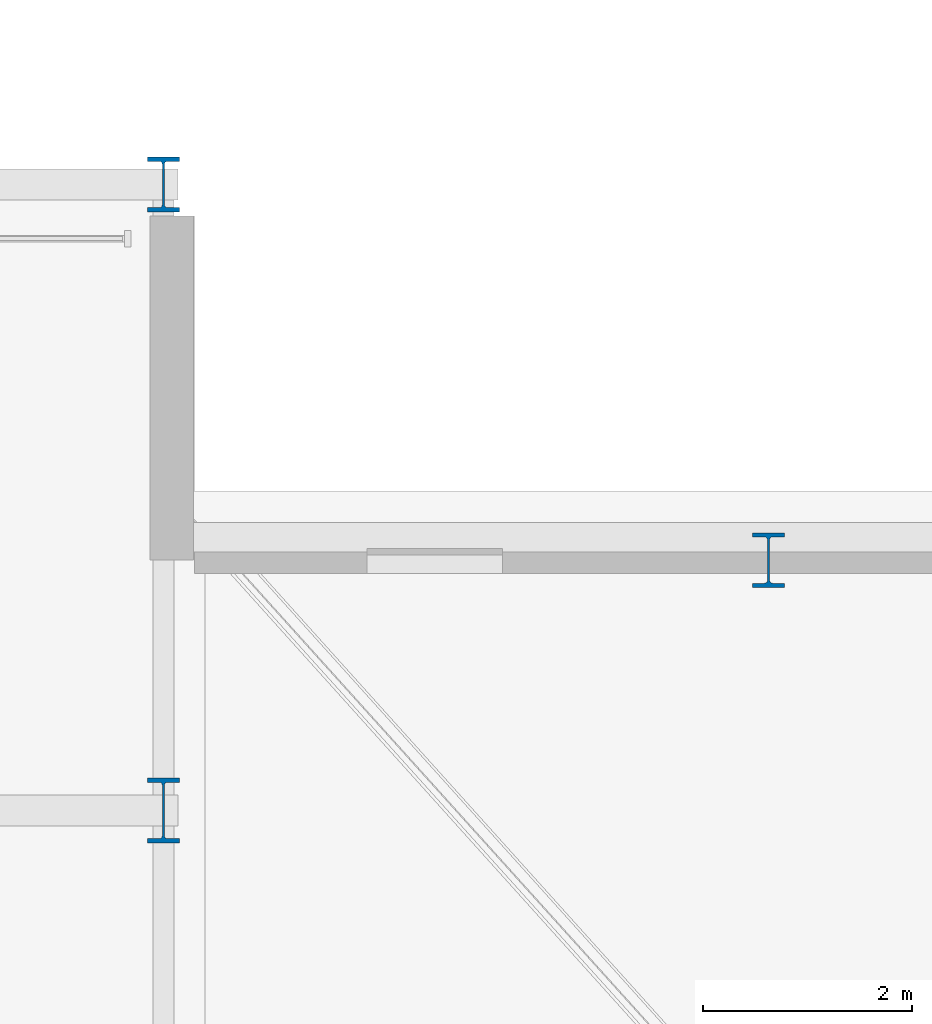
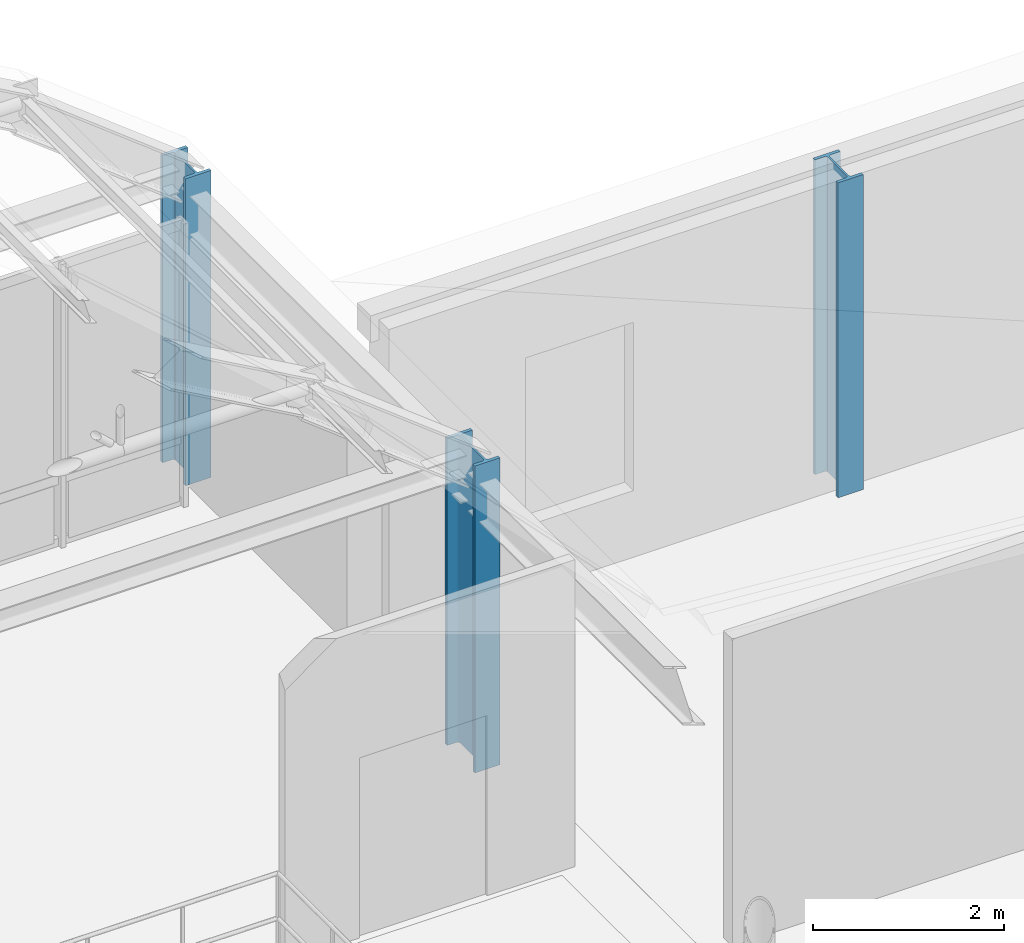
# One storey, part 7 of 148: 3 columns.
"""IFC4 building model written with IfcOpenShell, lengths in metres."""

from ifc_helpers import new_model, si_unit, direction, frame, origin, origin_2d, place, context, subcontext, project, spatial, i_section, extrude, material, material_profile, profile_set, type_object, element, save


model = new_model("IFC4")

# Units and contexts
model_context = context("Model", 3, precision=1e-05, world=origin(), true_north=direction((0.0, 1.0)))
body_context = subcontext(model_context, "Body", "Model", "MODEL_VIEW")
ifc_project = project(units=[si_unit("LENGTHUNIT", "METRE"), si_unit("AREAUNIT", "SQUARE_METRE"), si_unit("VOLUMEUNIT", "CUBIC_METRE"), si_unit("PLANEANGLEUNIT", "RADIAN"), si_unit("MASSUNIT", "GRAM", prefix="KILO"), si_unit("THERMODYNAMICTEMPERATUREUNIT", "KELVIN"), si_unit("POWERUNIT", "WATT")], contexts=[model_context])

# Site, building, storey
site_placement = place(None, origin())
site = spatial("IfcSite", under=ifc_project, at=site_placement, CompositionType="ELEMENT")
building_placement = place(site_placement, origin())
building = spatial("IfcBuilding", under=site, at=building_placement, Name="Solvatero Civic Police Headquarters", CompositionType="ELEMENT")
storey_placement = place(building_placement, frame((0.0, 0.0, 5.10009765625)))
storey = spatial("IfcBuildingStorey", under=building, at=storey_placement, Name="L01", CompositionType="ELEMENT", Elevation=5.10009765625)

# Columns
ifc_material = material(Name="Steel S355", Category="steel")
ifc_material_profile_1 = material_profile(ifc_material, i_section(OverallWidth=0.305908203125, OverallDepth=0.52392578125, WebThickness=0.02099609375, FlangeThickness=0.0400390625, FilletRadius=0.027099609375, at=origin_2d()), Name="HEM 500")
ifc_profile_set_1 = profile_set([ifc_material_profile_1], Name="Steel S355")
column_type_1 = type_object("IfcColumnType", Name="COL-ST-HEM500", PredefinedType="COLUMN", material=ifc_profile_set_1)
column_1_placement = place(storey_placement, frame((122.199951171875, 46.800048828125, 0.0), z_axis=(0.0, 0.0, 1.0), x_axis=(1.0, 0.0, 0.0)))
element("IfcColumn", 1, at=column_1_placement, inside=storey, type_object=column_type_1, Name="Column V1-E-F8 L01", PredefinedType="COLUMN", context=body_context, shape_type="SweptSolid", body=[
    extrude(i_section(OverallWidth=0.305908203125, OverallDepth=0.52392578125, WebThickness=0.02099609375, FlangeThickness=0.0400390625, FilletRadius=0.027099609375, at=origin_2d()), origin(), (0.0, 0.0, 1.0), 3.919921875),
])
column_2_placement = place(storey_placement, frame((128.0, 43.199951171875, 0.0), z_axis=(0.0, 0.0, 1.0), x_axis=(1.0, 0.0, 0.0)))
element("IfcColumn", 2, at=column_2_placement, inside=storey, type_object=column_type_1, Name="Column V3-X1Y4 L01", PredefinedType="COLUMN", context=body_context, shape_type="SweptSolid", body=[
    extrude(i_section(OverallWidth=0.305908203125, OverallDepth=0.52392578125, WebThickness=0.02099609375, FlangeThickness=0.0400390625, FilletRadius=0.027099609375, at=origin_2d()), origin(), (0.0, 0.0, 1.0), 4.02001953125),
])
ifc_material_profile_2 = material_profile(ifc_material, i_section(OverallWidth=0.304931640625, OverallDepth=0.6201171875, WebThickness=0.02099609375, FlangeThickness=0.0400390625, FilletRadius=0.027099609375, at=origin_2d()), Name="HEM 600")
ifc_profile_set_2 = profile_set([ifc_material_profile_2], Name="Steel S355")
column_type_2 = type_object("IfcColumnType", Name="COL-ST-HEM600", PredefinedType="COLUMN", material=ifc_profile_set_2)
column_3_placement = place(storey_placement, frame((122.199951171875, 40.800048828125, 0.0), z_axis=(0.0, 0.0, 1.0), x_axis=(1.0, 0.0, 0.0)))
element("IfcColumn", 3, at=column_3_placement, inside=storey, type_object=column_type_2, Name="Column V1-E-F7 L01", PredefinedType="COLUMN", context=body_context, shape_type="SweptSolid", body=[
    extrude(i_section(OverallWidth=0.304931640625, OverallDepth=0.6201171875, WebThickness=0.02099609375, FlangeThickness=0.0400390625, FilletRadius=0.027099609375, at=origin_2d()), origin(), (0.0, 0.0, 1.0), 3.919921875),
])

save(model, "model.ifc")
